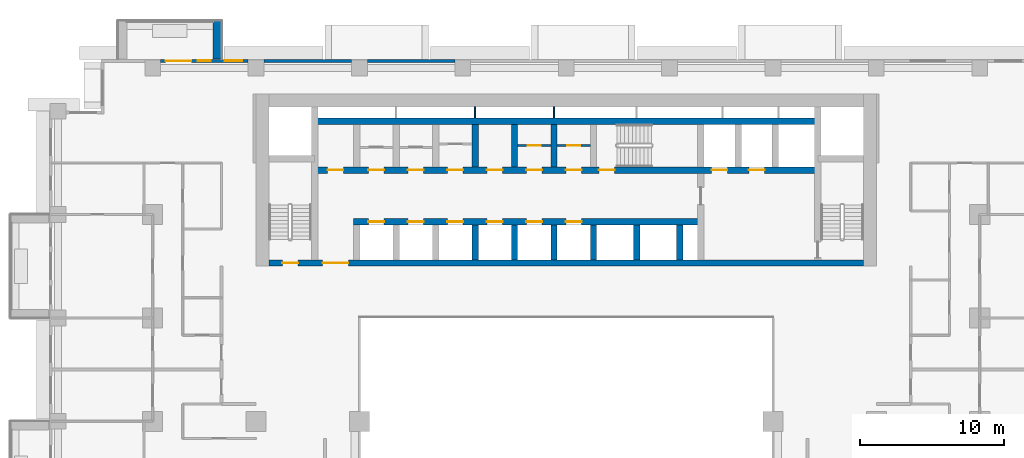
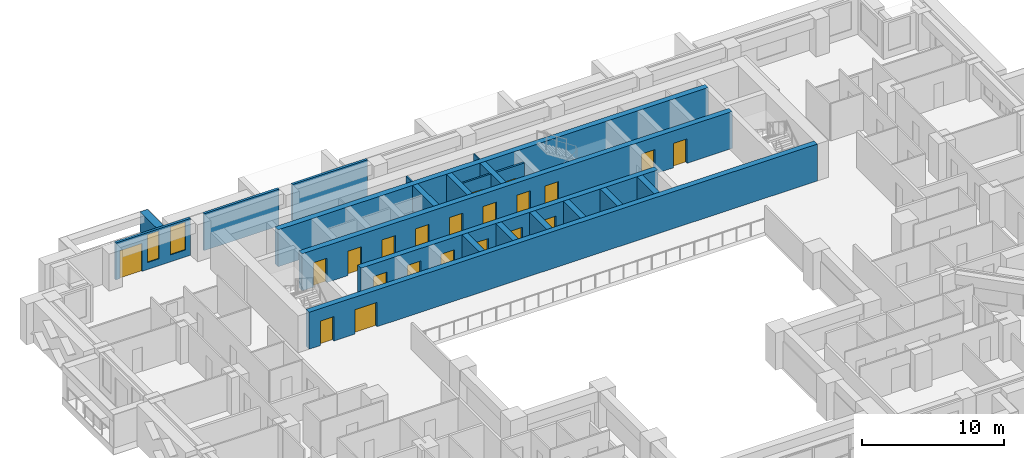
# One storey, part 10 of 17: 21 doors, 21 walls, 2 windows, 23 openings.
"""IFC4 building model written with IfcOpenShell, lengths in metres."""

import ifcopenshell
import ifcopenshell.guid

model = None  # the IFC model being written
_history = None  # IfcOwnerHistory: only IFC2X3 demands one
_inside = {}  # id of a spatial element -> (the spatial element, [elements in it])
_under = {}  # id of a project, library or spatial element -> (it, [spatial elements below it])
_declared = {}  # id of a project -> (the project, [libraries it declares])
_typed = {}  # id of a type object -> (the type object, [elements of that type])
_made_of = {}  # id of a material, layer set ... -> (it, [elements and type objects made of it])


def new_model(schema):
    """Start an empty IFC model of exactly this schema.

    Asked for "IFC4X3", IfcOpenShell would pick the latest addendum, in which some entities
    have other attributes; the version numbers below select the first issue.
    IFC2X3 requires an IfcOwnerHistory on every rooted entity: one is made here for all.
    """
    global model, _history
    if schema == "IFC4X3":
        model = ifcopenshell.file(schema_version=(4, 3, 0, 0))
    else:
        model = ifcopenshell.file(schema=schema)
    _inside.clear()
    _under.clear()
    _declared.clear()
    _typed.clear()
    _made_of.clear()
    _history = None
    if model.schema == "IFC2X3":
        org = make("IfcOrganization", Name="unknown")
        user = make(
            "IfcPersonAndOrganization",
            ThePerson=make("IfcPerson", FamilyName="unknown"),
            TheOrganization=org,
        )
        app = make(
            "IfcApplication",
            ApplicationDeveloper=org,
            Version="unknown",
            ApplicationFullName="unknown",
            ApplicationIdentifier="unknown",
        )
        _history = make(
            "IfcOwnerHistory",
            OwningUser=user,
            OwningApplication=app,
            ChangeAction="ADDED",
            CreationDate=0,
        )
    return model


def make(cls, **values):
    """One entity of the class cls with the attributes given. An attribute that is None is left unset."""
    return model.create_entity(
        cls, **{name: value for name, value in values.items() if value is not None}
    )


def rooted(cls, **values):
    """An entity with a GlobalId (a new one), such as an element, a storey or a relation."""
    return make(cls, GlobalId=ifcopenshell.guid.new(), OwnerHistory=_history, **values)


def si_unit(unit_type, name, prefix=None):
    """IfcSIUnit, for example si_unit("LENGTHUNIT", "METRE", prefix="MILLI")."""
    return make("IfcSIUnit", UnitType=unit_type, Prefix=prefix, Name=name)


def assignment(units):
    """IfcUnitAssignment: the units of a project."""
    return None if units is None else make("IfcUnitAssignment", Units=units)


def point(xyz):
    """IfcCartesianPoint."""
    return None if xyz is None else make("IfcCartesianPoint", Coordinates=xyz)


def direction(xyz):
    """IfcDirection."""
    return None if xyz is None else make("IfcDirection", DirectionRatios=xyz)


def frame(location, z_axis=None, x_axis=None):
    """IfcAxis2Placement3D, a coordinate frame: its origin and axes. An axis left out is left unset."""
    return make(
        "IfcAxis2Placement3D",
        Location=point(location),
        Axis=direction(z_axis),
        RefDirection=direction(x_axis),
    )


def frame_2d(location, x_axis=None):
    """IfcAxis2Placement2D, a coordinate frame in the plane: its origin and x axis."""
    return make(
        "IfcAxis2Placement2D", Location=point(location), RefDirection=direction(x_axis)
    )


def origin():
    """The frame at (0, 0, 0) with its axes left unset."""
    return frame((0.0, 0.0, 0.0))


def place(relative_to, where):
    """IfcLocalPlacement: puts the frame where relative to a parent placement (None: the world)."""
    return make(
        "IfcLocalPlacement", PlacementRelTo=relative_to, RelativePlacement=where
    )


def context(
    kind, dimensions, precision=None, world=None, true_north=None, identifier=None
):
    """IfcGeometricRepresentationContext, for example the 3D "Model" context."""
    return make(
        "IfcGeometricRepresentationContext",
        ContextIdentifier=identifier,
        ContextType=kind,
        CoordinateSpaceDimension=dimensions,
        Precision=precision,
        WorldCoordinateSystem=world,
        TrueNorth=true_north,
    )


def subcontext(parent, identifier, kind, view, scale=None):
    """IfcGeometricRepresentationSubContext, for example "Body" below "Model"."""
    return make(
        "IfcGeometricRepresentationSubContext",
        ContextIdentifier=identifier,
        ContextType=kind,
        ParentContext=parent,
        TargetScale=scale,
        TargetView=view,
    )


def project(units=None, contexts=None):
    """IfcProject with its units and contexts."""
    return rooted(
        "IfcProject",
        Name="project",
        RepresentationContexts=contexts,
        UnitsInContext=assignment(units),
    )


def spatial(cls, under=None, at=None, **own):
    """A site, building, storey or space (cls), placed at a placement, below another one or the project."""
    s = rooted(cls, ObjectPlacement=at, **own)
    if under is not None:
        _under.setdefault(under.id(), (under, []))[1].append(s)
    return s


def profile(cls, at=None, kind="AREA", **sizes):
    """A parametric profile (cls). Its sizes go by their IFC names, for example OverallWidth=200.0."""
    return make(cls, ProfileType=kind, Position=at, **sizes)


def rectangle(**sizes):
    """IfcRectangleProfileDef."""
    return profile("IfcRectangleProfileDef", **sizes)


def extrude(swept, where, along, depth):
    """IfcExtrudedAreaSolid: the profile swept, set in the frame where, extruded along a direction by depth."""
    return make(
        "IfcExtrudedAreaSolid",
        SweptArea=swept,
        Position=where,
        ExtrudedDirection=direction(along),
        Depth=depth,
    )


def shape(context_of_items, identifier, shape_type, items):
    """IfcShapeRepresentation: the items that make up one representation, for example the "Body"."""
    return make(
        "IfcShapeRepresentation",
        ContextOfItems=context_of_items,
        RepresentationIdentifier=identifier,
        RepresentationType=shape_type,
        Items=items,
    )


def material(Name=None, Category=None):
    """IfcMaterial."""
    return make("IfcMaterial", Name=Name, Category=Category)


def layer(
    of_material, thickness, ventilated=None, Name=None, Category=None, Priority=None
):
    """IfcMaterialLayer: one layer of a wall or slab, of a material (None: an air gap)."""
    return make(
        "IfcMaterialLayer",
        Material=of_material,
        LayerThickness=thickness,
        IsVentilated=ventilated,
        Name=Name,
        Category=Category,
        Priority=Priority,
    )


def layer_set(layers, Name=None):
    """IfcMaterialLayerSet."""
    return make("IfcMaterialLayerSet", MaterialLayers=layers, LayerSetName=Name)


def made_of(thing, what):
    """Note that an element or type object is made of a material, layer set ...; save() writes the relation."""
    if what is not None:
        _made_of.setdefault(what.id(), (what, []))[1].append(thing)
    return thing


def type_object(cls, material=None, **own):
    """A type object (cls), such as IfcWallType, which elements share."""
    return made_of(rooted(cls, **own), material)


def element(
    cls,
    number,
    at=None,
    inside=None,
    cuts=None,
    type_object=None,
    material=None,
    context=None,
    identifier="Body",
    shape_type=None,
    held_by="IfcProductDefinitionShape",
    body=None,
    shapes=None,
    **own,
):
    """One element of the class cls, such as IfcWall. Its Tag is "e" and its number.

    at: its placement. inside: the storey or other place that contains it. cuts: it is an
    opening in that element (IfcRelVoidsElement). A single representation is given by context,
    identifier, shape_type and body (its items); several are given by shapes. held_by: the class
    of the entity that holds the representations. save() writes the other relations.
    """
    e = rooted(cls, Tag="e%d" % number, ObjectPlacement=at, **own)
    if body is not None:
        shapes = [shape(context, identifier, shape_type, body)]
    if shapes is not None:
        e.Representation = make(held_by, Representations=shapes)
    if inside is not None:
        _inside.setdefault(inside.id(), (inside, []))[1].append(e)
    if cuts is not None:
        rooted(
            "IfcRelVoidsElement", RelatingBuildingElement=cuts, RelatedOpeningElement=e
        )
    if type_object is not None:
        _typed.setdefault(type_object.id(), (type_object, []))[1].append(e)
    return made_of(e, material)


def fill(opening, filler):
    """IfcRelFillsElement: the door or window that sits in an opening."""
    return rooted(
        "IfcRelFillsElement",
        RelatingOpeningElement=opening,
        RelatedBuildingElement=filler,
    )


def aggregate(whole, parts):
    """IfcRelAggregates: a whole, such as a stair, and the parts it consists of."""
    return rooted("IfcRelAggregates", RelatingObject=whole, RelatedObjects=parts)


def save(model, path):
    """Write the relations noted so far, then the file.

    IfcRelAggregates (storeys below a building ...), IfcRelContainedInSpatialStructure (elements
    in a storey), IfcRelDefinesByType, IfcRelAssociatesMaterial and IfcRelDeclares: one each for
    every whole, place, type object, material and project.
    """
    for whole, parts in _under.values():
        aggregate(whole, parts)
    for where, things in _inside.values():
        rooted(
            "IfcRelContainedInSpatialStructure",
            RelatedElements=things,
            RelatingStructure=where,
        )
    for kind, things in _typed.values():
        rooted("IfcRelDefinesByType", RelatedObjects=things, RelatingType=kind)
    for what, things in _made_of.values():
        rooted("IfcRelAssociatesMaterial", RelatedObjects=things, RelatingMaterial=what)
    for by, libraries in _declared.values():
        rooted("IfcRelDeclares", RelatingContext=by, RelatedDefinitions=libraries)
    model.write(path)


model = new_model("IFC4")

# Units and contexts
model_context = context("Model", 3, precision=1e-05, world=origin(), true_north=direction((0.0, 1.0)))
body_context = subcontext(model_context, "Body", "Model", "MODEL_VIEW")
ifc_project = project(units=[si_unit("LENGTHUNIT", "METRE"), si_unit("AREAUNIT", "SQUARE_METRE"), si_unit("VOLUMEUNIT", "CUBIC_METRE"), si_unit("PLANEANGLEUNIT", "RADIAN"), si_unit("MASSUNIT", "GRAM", prefix="KILO")], contexts=[model_context])

# Site, building, storey
site_placement = place(None, origin())
site = spatial("IfcSite", under=ifc_project, at=site_placement, CompositionType="ELEMENT")
building_placement = place(site_placement, origin())
building = spatial("IfcBuilding", under=site, at=building_placement, Name="Saffron Iwan Residences", CompositionType="ELEMENT")
storey_placement = place(building_placement, frame((0.0, 0.0, 58.5)))
storey = spatial("IfcBuildingStorey", under=building, at=storey_placement, Name="L14", CompositionType="ELEMENT", Elevation=58.5)

# Wall
ifc_material_1 = material(Name="Concrete C50/60 white painted", Category="concrete")
ifc_layer_1 = layer(ifc_material_1, 0.60009765625)
ifc_layer_set_1 = layer_set([ifc_layer_1], Name="Concrete C50/60 white painted")
wall_type_1 = type_object("IfcWallType", Name="BALCONY FIN 600", PredefinedType="SOLIDWALL", material=ifc_layer_set_1)
wall_1_placement = place(storey_placement, frame((26.10009765625, 80.449951171875, 0.0), z_axis=(0.0, 0.0, 1.0), x_axis=(0.0, 1.0, 0.0)))
element("IfcWall", 1, at=wall_1_placement, inside=storey, type_object=wall_type_1, Name="Balcony fin L14 F5-3a", PredefinedType="SOLIDWALL", context=body_context, shape_type="SweptSolid", body=[
    extrude(rectangle(XDim=2.650146484375, YDim=0.60009765625, at=frame_2d((1.3251953125, 0.0))), origin(), (0.0, 0.0, 1.0), 2.85009765625),
])

# Wall, opening, door
ifc_material_2 = material(Name="Fire-rated plasterboard partition")
ifc_layer_2 = layer(ifc_material_2, 0.14990234375)
ifc_layer_set_2 = layer_set([ifc_layer_2], Name="Fire-rated plasterboard partition")
wall_type_2 = type_object("IfcWallType", Name="Core partition 150", PredefinedType="PARTITIONING", material=ifc_layer_set_2)
wall_2_placement = place(storey_placement, frame((47.02490234375, 74.39990234375, 0.0), z_axis=(0.0, 0.0, 1.0), x_axis=(1.0, 0.0, 0.0)))
wall_2 = element("IfcWall", 2, at=wall_2_placement, inside=storey, type_object=wall_type_2, Name="Core partition P04", PredefinedType="PARTITIONING", context=body_context, shape_type="SweptSolid", body=[
    extrude(rectangle(XDim=2.300048828125, YDim=0.14990234375, at=frame_2d((1.14990234375, 0.0))), origin(), (0.0, 0.0, 1.0), 3.179931640625),
])
opening_1_placement = place(wall_2_placement, frame((0.699951171875, 0.0, 0.0)))
opening_1 = element("IfcOpeningElement", 3, at=opening_1_placement, cuts=wall_2, Name="Opening SB", PredefinedType="OPENING", context=body_context, shape_type="SweptSolid", body=[
    extrude(rectangle(XDim=0.89990234375, YDim=2.10009765625, at=frame_2d((0.449951171875, 1.050048828125))), frame((0.0, 0.0849609375, 0.0), z_axis=(0.0, -1.0, 0.0), x_axis=(1.0, 0.0, 0.0)), (0.0, 0.0, 1.0), 0.169921875),
])
ifc_material_3 = material(Name="Steel fire door", Category="steel")
door_type_1 = type_object("IfcDoorType", Name="Store door 900", OperationType="NOTDEFINED", PredefinedType="DOOR", material=ifc_material_3)
door_1_placement = place(opening_1_placement, origin())
door_1 = element("IfcDoor", 4, at=door_1_placement, inside=storey, type_object=door_type_1, Name="Door Spares store", OperationType="SINGLE_SWING_LEFT", OverallHeight=2.10009765625, OverallWidth=0.89990234375, PredefinedType="DOOR", context=body_context, shape_type="SweptSolid", body=[
    extrude(rectangle(XDim=0.89990234375, YDim=2.10009765625, at=frame_2d((0.449951171875, 1.050048828125))), frame((0.0, 0.02490234375, 0.0), z_axis=(0.0, -1.0, 0.0), x_axis=(1.0, 0.0, 0.0)), (0.0, 0.0, 1.0), 0.050048828125),
])
fill(opening_1, door_1)

wall_3_placement = place(storey_placement, frame((49.77490234375, 74.39990234375, 0.0), z_axis=(0.0, 0.0, 1.0), x_axis=(1.0, 0.0, 0.0)))
wall_3 = element("IfcWall", 5, at=wall_3_placement, inside=storey, type_object=wall_type_2, Name="Core partition P05", PredefinedType="PARTITIONING", context=body_context, shape_type="SweptSolid", body=[
    extrude(rectangle(XDim=2.300048828125, YDim=0.14990234375, at=frame_2d((1.14990234375, 0.0))), origin(), (0.0, 0.0, 1.0), 3.179931640625),
])
opening_2_placement = place(wall_3_placement, frame((0.699951171875, 0.0, 0.0)))
opening_2 = element("IfcOpeningElement", 6, at=opening_2_placement, cuts=wall_3, Name="Opening SB", PredefinedType="OPENING", context=body_context, shape_type="SweptSolid", body=[
    extrude(rectangle(XDim=0.89990234375, YDim=2.10009765625, at=frame_2d((0.449951171875, 1.050048828125))), frame((0.0, 0.0849609375, 0.0), z_axis=(0.0, -1.0, 0.0), x_axis=(1.0, 0.0, 0.0)), (0.0, 0.0, 1.0), 0.169921875),
])
door_2_placement = place(opening_2_placement, origin())
door_2 = element("IfcDoor", 7, at=door_2_placement, inside=storey, type_object=door_type_1, Name="Door Battery room", OperationType="SINGLE_SWING_RIGHT", OverallHeight=2.10009765625, OverallWidth=0.89990234375, PredefinedType="DOOR", context=body_context, shape_type="SweptSolid", body=[
    extrude(rectangle(XDim=0.89990234375, YDim=2.10009765625, at=frame_2d((0.449951171875, 1.050048828125))), frame((0.0, 0.02490234375, 0.0), z_axis=(0.0, -1.0, 0.0), x_axis=(1.0, 0.0, 0.0)), (0.0, 0.0, 1.0), 0.050048828125),
])
fill(opening_2, door_2)

# Walls
ifc_material_4 = material(Name="Concrete C40/50", Category="concrete")
ifc_layer_3 = layer(ifc_material_4, 0.199951171875)
ifc_layer_set_3 = layer_set([ifc_layer_3], Name="Concrete C40/50")
wall_type_3 = type_object("IfcWallType", Name="EXTERNAL WALL 200", PredefinedType="SOLIDWALL", material=ifc_layer_set_3)
for number, where, z_axis, x_axis, name in (
    (8, (42.64990234375, 80.300048828125, 0.0), (0.0, 0.0, 1.0), (-1.0, 0.0, 0.0), "External wall L14 F5.6"),
    (9, (35.449951171875, 80.300048828125, 0.0), (0.0, 0.0, 1.0), (-1.0, 0.0, 0.0), "External wall L14 F5.7"),
):
    element("IfcWall", number, at=place(storey_placement, frame(where, z_axis=z_axis, x_axis=x_axis)), inside=storey, type_object=wall_type_3, Name=name, PredefinedType="SOLIDWALL", context=body_context, shape_type="SweptSolid", body=[
        extrude(rectangle(XDim=6.099853515625, YDim=0.199951171875, at=frame_2d((3.0498046875, 0.0))), origin(), (0.0, 0.0, 1.0), 3.179931640625),
    ])

# Wall, openings, door, windows
wall_4_placement = place(storey_placement, frame((28.25, 80.300048828125, 0.0), z_axis=(0.0, 0.0, 1.0), x_axis=(-1.0, 0.0, 0.0)))
wall_4 = element("IfcWall", 10, at=wall_4_placement, inside=storey, type_object=wall_type_3, Name="External wall L14 F5.8", PredefinedType="SOLIDWALL", context=body_context, shape_type="SweptSolid", body=[
    extrude(rectangle(XDim=6.10009765625, YDim=0.199951171875, at=frame_2d((3.050048828125, 0.0))), origin(), (0.0, 0.0, 1.0), 3.179931640625),
])
opening_3_placement = place(wall_4_placement, frame((3.949951171875, 0.0, 0.0)))
opening_3 = element("IfcOpeningElement", 11, at=opening_3_placement, cuts=wall_4, Name="Opening BD1", PredefinedType="OPENING", context=body_context, shape_type="SweptSolid", body=[
    extrude(rectangle(XDim=1.800048828125, YDim=2.39990234375, at=frame_2d((0.89990234375, 1.199951171875))), frame((0.0, 0.10986328125, 0.0), z_axis=(0.0, -1.0, 0.0), x_axis=(1.0, 0.0, 0.0)), (0.0, 0.0, 1.0), 0.219970703125),
])
opening_4_placement = place(wall_4_placement, frame((0.425048828125, 0.0, 0.60009765625)))
opening_4 = element("IfcOpeningElement", 12, at=opening_4_placement, cuts=wall_4, Name="Opening W3", PredefinedType="OPENING", context=body_context, shape_type="SweptSolid", body=[
    extrude(rectangle(XDim=1.199951171875, YDim=2.39990234375, at=frame_2d((0.60009765625, 1.199951171875))), frame((0.0, 0.10986328125, 0.0), z_axis=(0.0, -1.0, 0.0), x_axis=(1.0, 0.0, 0.0)), (0.0, 0.0, 1.0), 0.219970703125),
])
opening_5_placement = place(wall_4_placement, frame((2.60009765625, 0.0, 0.60009765625)))
opening_5 = element("IfcOpeningElement", 13, at=opening_5_placement, cuts=wall_4, Name="Opening W10", PredefinedType="OPENING", context=body_context, shape_type="SweptSolid", body=[
    extrude(rectangle(XDim=0.89990234375, YDim=2.39990234375, at=frame_2d((0.449951171875, 1.199951171875))), frame((0.0, 0.10986328125, 0.0), z_axis=(0.0, -1.0, 0.0), x_axis=(1.0, 0.0, 0.0)), (0.0, 0.0, 1.0), 0.219970703125),
])
ifc_material_5 = material(Name="Clear glass, laminated double glazed", Category="glass")
door_type_2 = type_object("IfcDoorType", Name="BALCONY DOOR 1800 x 2400", OperationType="DOUBLE_DOOR_SLIDING", PredefinedType="DOOR", material=ifc_material_5)
door_3_placement = place(opening_3_placement, origin())
door_3 = element("IfcDoor", 14, at=door_3_placement, inside=storey, type_object=door_type_2, Name="Balcony door L14 F5.0", OperationType="DOUBLE_DOOR_SLIDING", OverallHeight=2.39990234375, OverallWidth=1.800048828125, PredefinedType="DOOR", context=body_context, shape_type="SweptSolid", body=[
    extrude(rectangle(XDim=1.800048828125, YDim=2.39990234375, at=frame_2d((0.89990234375, 1.199951171875))), frame((0.0, 0.02490234375, 0.0), z_axis=(0.0, -1.0, 0.0), x_axis=(1.0, 0.0, 0.0)), (0.0, 0.0, 1.0), 0.050048828125),
])
fill(opening_3, door_3)
window_type_1 = type_object("IfcWindowType", Name="WINDOW 1200 x 2400", PartitioningType="SINGLE_PANEL", PredefinedType="WINDOW", material=ifc_material_5)
window_1_placement = place(opening_4_placement, origin())
window_1 = element("IfcWindow", 15, at=window_1_placement, inside=storey, type_object=window_type_1, Name="Window L14 F5.1", OverallHeight=2.39990234375, OverallWidth=1.199951171875, PartitioningType="SINGLE_PANEL", PredefinedType="WINDOW", context=body_context, shape_type="SweptSolid", body=[
    extrude(rectangle(XDim=1.199951171875, YDim=2.39990234375, at=frame_2d((0.60009765625, 1.199951171875))), frame((0.0, 0.030029296875, 0.0), z_axis=(0.0, -1.0, 0.0), x_axis=(1.0, 0.0, 0.0)), (0.0, 0.0, 1.0), 0.06005859375),
])
fill(opening_4, window_1)
window_type_2 = type_object("IfcWindowType", Name="WINDOW 900 x 2400", PartitioningType="SINGLE_PANEL", PredefinedType="WINDOW", material=ifc_material_5)
window_2_placement = place(opening_5_placement, origin())
window_2 = element("IfcWindow", 16, at=window_2_placement, inside=storey, type_object=window_type_2, Name="Window L14 F5.2", OverallHeight=2.39990234375, OverallWidth=0.89990234375, PartitioningType="SINGLE_PANEL", PredefinedType="WINDOW", context=body_context, shape_type="SweptSolid", body=[
    extrude(rectangle(XDim=0.89990234375, YDim=2.39990234375, at=frame_2d((0.449951171875, 1.199951171875))), frame((0.0, 0.030029296875, 0.0), z_axis=(0.0, -1.0, 0.0), x_axis=(1.0, 0.0, 0.0)), (0.0, 0.0, 1.0), 0.06005859375),
])
fill(opening_5, window_2)

# Walls
ifc_layer_4 = layer(ifc_material_2, 0.10009765625)
ifc_layer_set_4 = layer_set([ifc_layer_4], Name="Fire-rated plasterboard partition")
wall_type_4 = type_object("IfcWallType", Name="Riser partition 100", PredefinedType="PARTITIONING", material=ifc_layer_set_4)
for number, where, z_axis, x_axis, name in (
    (17, (44.050048828125, 76.324951171875, 0.0), (0.0, 0.0, 1.0), (0.0, 1.0, 0.0), "Core partition P07"),
    (18, (49.550048828125, 76.324951171875, 0.0), (0.0, 0.0, 1.0), (0.0, 1.0, 0.0), "Core partition P08"),
):
    element("IfcWall", number, at=place(storey_placement, frame(where, z_axis=z_axis, x_axis=x_axis)), inside=storey, type_object=wall_type_4, Name=name, PredefinedType="PARTITIONING", context=body_context, shape_type="SweptSolid", body=[
        extrude(rectangle(XDim=0.775146484375, YDim=0.10009765625, at=frame_2d((0.3876953125, 0.0))), origin(), (0.0, 0.0, 1.0), 3.179931640625),
    ])

# Wall, openings, doors
ifc_material_6 = material(Name="Concrete C60/75", Category="concrete")
ifc_layer_5 = layer(ifc_material_6, 0.449951171875)
ifc_layer_set_5 = layer_set([ifc_layer_5], Name="Concrete C60/75")
wall_type_5 = type_object("IfcWallType", Name="WALL CORE 450 C60/75 3180 HIGH", PredefinedType="SHEAR", material=ifc_layer_set_5)
wall_5_placement = place(storey_placement, frame((29.699951171875, 66.22509765625, 0.0), z_axis=(0.0, 0.0, 1.0), x_axis=(1.0, 0.0, 0.0)))
wall_5 = element("IfcWall", 19, at=wall_5_placement, inside=storey, type_object=wall_type_5, Name="Core wall", PredefinedType="SHEAR", context=body_context, shape_type="SweptSolid", body=[
    extrude(rectangle(XDim=41.400146484375, YDim=0.449951171875, at=frame_2d((20.7001953125, 0.0))), origin(), (0.0, 0.0, 1.0), 3.179931640625),
])
opening_6_placement = place(wall_5_placement, frame((0.925048828125, 0.0, 0.0)))
opening_6 = element("IfcOpeningElement", 20, at=opening_6_placement, cuts=wall_5, Name="Opening SD", PredefinedType="OPENING", context=body_context, shape_type="SweptSolid", body=[
    extrude(rectangle(XDim=1.10009765625, YDim=2.10009765625, at=frame_2d((0.550048828125, 1.050048828125))), frame((0.0, 0.23486328125, 0.0), z_axis=(0.0, -1.0, 0.0), x_axis=(1.0, 0.0, 0.0)), (0.0, 0.0, 1.0), 0.469970703125),
])
opening_7_placement = place(wall_5_placement, frame((3.737548828125, 0.0, 0.0)))
opening_7 = element("IfcOpeningElement", 21, at=opening_7_placement, cuts=wall_5, Name="Opening DD", PredefinedType="OPENING", context=body_context, shape_type="SweptSolid", body=[
    extrude(rectangle(XDim=1.800048828125, YDim=2.10009765625, at=frame_2d((0.89990234375, 1.050048828125))), frame((0.0, 0.23486328125, 0.0), z_axis=(0.0, -1.0, 0.0), x_axis=(1.0, 0.0, 0.0)), (0.0, 0.0, 1.0), 0.469970703125),
])
door_type_3 = type_object("IfcDoorType", Name="Lobby double door 1800", OperationType="DOUBLE_DOOR_SINGLE_SWING", PredefinedType="DOOR", material=ifc_material_3)
door_4_placement = place(opening_7_placement, origin())
door_4 = element("IfcDoor", 22, at=door_4_placement, inside=storey, type_object=door_type_3, Name="Lobby doors", OperationType="DOUBLE_DOOR_SINGLE_SWING", OverallHeight=2.10009765625, OverallWidth=1.800048828125, PredefinedType="DOOR", context=body_context, shape_type="SweptSolid", body=[
    extrude(rectangle(XDim=1.800048828125, YDim=2.10009765625, at=frame_2d((0.89990234375, 1.050048828125))), frame((0.0, 0.02490234375, 0.0), z_axis=(0.0, -1.0, 0.0), x_axis=(1.0, 0.0, 0.0)), (0.0, 0.0, 1.0), 0.050048828125),
])
fill(opening_7, door_4)
door_type_4 = type_object("IfcDoorType", Name="Stair door 1100", OperationType="NOTDEFINED", PredefinedType="DOOR", material=ifc_material_3)
door_5_placement = place(opening_6_placement, origin())
door_5 = element("IfcDoor", 23, at=door_5_placement, inside=storey, type_object=door_type_4, Name="Stair door ST-W", OperationType="SINGLE_SWING_LEFT", OverallHeight=2.10009765625, OverallWidth=1.10009765625, PredefinedType="DOOR", context=body_context, shape_type="SweptSolid", body=[
    extrude(rectangle(XDim=1.10009765625, YDim=2.10009765625, at=frame_2d((0.550048828125, 1.050048828125))), frame((0.0, 0.02490234375, 0.0), z_axis=(0.0, -1.0, 0.0), x_axis=(1.0, 0.0, 0.0)), (0.0, 0.0, 1.0), 0.050048828125),
])
fill(opening_6, door_5)

wall_6_placement = place(storey_placement, frame((35.574951171875, 69.10009765625, 0.0), z_axis=(0.0, 0.0, 1.0), x_axis=(1.0, 0.0, 0.0)))
wall_6 = element("IfcWall", 24, at=wall_6_placement, inside=storey, type_object=wall_type_5, Name="Core wall", PredefinedType="SHEAR", context=body_context, shape_type="SweptSolid", body=[
    extrude(rectangle(XDim=24.199951171875, YDim=0.449951171875, at=frame_2d((12.10009765625, 0.0))), origin(), (0.0, 0.0, 1.0), 3.179931640625),
])
opening_8_placement = place(wall_6_placement, frame((1.050048828125, 0.0, 0.0)))
opening_8 = element("IfcOpeningElement", 25, at=opening_8_placement, cuts=wall_6, Name="Opening LD", PredefinedType="OPENING", context=body_context, shape_type="SweptSolid", body=[
    extrude(rectangle(XDim=1.10009765625, YDim=2.10009765625, at=frame_2d((0.550048828125, 1.050048828125))), frame((0.0, 0.23486328125, 0.0), z_axis=(0.0, -1.0, 0.0), x_axis=(1.0, 0.0, 0.0)), (0.0, 0.0, 1.0), 0.469970703125),
])
opening_9_placement = place(wall_6_placement, frame((3.800048828125, 0.0, 0.0)))
opening_9 = element("IfcOpeningElement", 26, at=opening_9_placement, cuts=wall_6, Name="Opening LD", PredefinedType="OPENING", context=body_context, shape_type="SweptSolid", body=[
    extrude(rectangle(XDim=1.10009765625, YDim=2.10009765625, at=frame_2d((0.550048828125, 1.050048828125))), frame((0.0, 0.23486328125, 0.0), z_axis=(0.0, -1.0, 0.0), x_axis=(1.0, 0.0, 0.0)), (0.0, 0.0, 1.0), 0.469970703125),
])
opening_10_placement = place(wall_6_placement, frame((6.550048828125, 0.0, 0.0)))
opening_10 = element("IfcOpeningElement", 27, at=opening_10_placement, cuts=wall_6, Name="Opening LD", PredefinedType="OPENING", context=body_context, shape_type="SweptSolid", body=[
    extrude(rectangle(XDim=1.10009765625, YDim=2.10009765625, at=frame_2d((0.550048828125, 1.050048828125))), frame((0.0, 0.23486328125, 0.0), z_axis=(0.0, -1.0, 0.0), x_axis=(1.0, 0.0, 0.0)), (0.0, 0.0, 1.0), 0.469970703125),
])
opening_11_placement = place(wall_6_placement, frame((9.300048828125, 0.0, 0.0)))
opening_11 = element("IfcOpeningElement", 28, at=opening_11_placement, cuts=wall_6, Name="Opening LD", PredefinedType="OPENING", context=body_context, shape_type="SweptSolid", body=[
    extrude(rectangle(XDim=1.10009765625, YDim=2.10009765625, at=frame_2d((0.550048828125, 1.050048828125))), frame((0.0, 0.23486328125, 0.0), z_axis=(0.0, -1.0, 0.0), x_axis=(1.0, 0.0, 0.0)), (0.0, 0.0, 1.0), 0.469970703125),
])
opening_12_placement = place(wall_6_placement, frame((12.050048828125, 0.0, 0.0)))
opening_12 = element("IfcOpeningElement", 29, at=opening_12_placement, cuts=wall_6, Name="Opening LD", PredefinedType="OPENING", context=body_context, shape_type="SweptSolid", body=[
    extrude(rectangle(XDim=1.10009765625, YDim=2.10009765625, at=frame_2d((0.550048828125, 1.050048828125))), frame((0.0, 0.23486328125, 0.0), z_axis=(0.0, -1.0, 0.0), x_axis=(1.0, 0.0, 0.0)), (0.0, 0.0, 1.0), 0.469970703125),
])
opening_13_placement = place(wall_6_placement, frame((14.800048828125, 0.0, 0.0)))
opening_13 = element("IfcOpeningElement", 30, at=opening_13_placement, cuts=wall_6, Name="Opening LD", PredefinedType="OPENING", context=body_context, shape_type="SweptSolid", body=[
    extrude(rectangle(XDim=1.10009765625, YDim=2.10009765625, at=frame_2d((0.550048828125, 1.050048828125))), frame((0.0, 0.23486328125, 0.0), z_axis=(0.0, -1.0, 0.0), x_axis=(1.0, 0.0, 0.0)), (0.0, 0.0, 1.0), 0.469970703125),
])
door_type_5 = type_object("IfcDoorType", Name="Lift landing door 1100", OperationType="SLIDING_TO_LEFT", PredefinedType="DOOR", material=ifc_material_3)
door_6_placement = place(opening_8_placement, origin())
door_6 = element("IfcDoor", 31, at=door_6_placement, inside=storey, type_object=door_type_5, Name="Landing doors LR1", OperationType="SLIDING_TO_LEFT", OverallHeight=2.10009765625, OverallWidth=1.10009765625, PredefinedType="DOOR", context=body_context, shape_type="SweptSolid", body=[
    extrude(rectangle(XDim=1.10009765625, YDim=2.10009765625, at=frame_2d((0.550048828125, 1.050048828125))), frame((0.0, 0.02490234375, 0.0), z_axis=(0.0, -1.0, 0.0), x_axis=(1.0, 0.0, 0.0)), (0.0, 0.0, 1.0), 0.050048828125),
])
fill(opening_8, door_6)
door_7_placement = place(opening_9_placement, origin())
door_7 = element("IfcDoor", 32, at=door_7_placement, inside=storey, type_object=door_type_5, Name="Landing doors LR2", OperationType="SLIDING_TO_LEFT", OverallHeight=2.10009765625, OverallWidth=1.10009765625, PredefinedType="DOOR", context=body_context, shape_type="SweptSolid", body=[
    extrude(rectangle(XDim=1.10009765625, YDim=2.10009765625, at=frame_2d((0.550048828125, 1.050048828125))), frame((0.0, 0.02490234375, 0.0), z_axis=(0.0, -1.0, 0.0), x_axis=(1.0, 0.0, 0.0)), (0.0, 0.0, 1.0), 0.050048828125),
])
fill(opening_9, door_7)
door_8_placement = place(opening_10_placement, origin())
door_8 = element("IfcDoor", 33, at=door_8_placement, inside=storey, type_object=door_type_5, Name="Landing doors LR3", OperationType="SLIDING_TO_LEFT", OverallHeight=2.10009765625, OverallWidth=1.10009765625, PredefinedType="DOOR", context=body_context, shape_type="SweptSolid", body=[
    extrude(rectangle(XDim=1.10009765625, YDim=2.10009765625, at=frame_2d((0.550048828125, 1.050048828125))), frame((0.0, 0.02490234375, 0.0), z_axis=(0.0, -1.0, 0.0), x_axis=(1.0, 0.0, 0.0)), (0.0, 0.0, 1.0), 0.050048828125),
])
fill(opening_10, door_8)
door_9_placement = place(opening_11_placement, origin())
door_9 = element("IfcDoor", 34, at=door_9_placement, inside=storey, type_object=door_type_5, Name="Landing doors LR4", OperationType="SLIDING_TO_LEFT", OverallHeight=2.10009765625, OverallWidth=1.10009765625, PredefinedType="DOOR", context=body_context, shape_type="SweptSolid", body=[
    extrude(rectangle(XDim=1.10009765625, YDim=2.10009765625, at=frame_2d((0.550048828125, 1.050048828125))), frame((0.0, 0.02490234375, 0.0), z_axis=(0.0, -1.0, 0.0), x_axis=(1.0, 0.0, 0.0)), (0.0, 0.0, 1.0), 0.050048828125),
])
fill(opening_11, door_9)
door_10_placement = place(opening_12_placement, origin())
door_10 = element("IfcDoor", 35, at=door_10_placement, inside=storey, type_object=door_type_5, Name="Landing doors LR5", OperationType="SLIDING_TO_LEFT", OverallHeight=2.10009765625, OverallWidth=1.10009765625, PredefinedType="DOOR", context=body_context, shape_type="SweptSolid", body=[
    extrude(rectangle(XDim=1.10009765625, YDim=2.10009765625, at=frame_2d((0.550048828125, 1.050048828125))), frame((0.0, 0.02490234375, 0.0), z_axis=(0.0, -1.0, 0.0), x_axis=(1.0, 0.0, 0.0)), (0.0, 0.0, 1.0), 0.050048828125),
])
fill(opening_12, door_10)
door_11_placement = place(opening_13_placement, origin())
door_11 = element("IfcDoor", 36, at=door_11_placement, inside=storey, type_object=door_type_5, Name="Landing doors LR6", OperationType="SLIDING_TO_LEFT", OverallHeight=2.10009765625, OverallWidth=1.10009765625, PredefinedType="DOOR", context=body_context, shape_type="SweptSolid", body=[
    extrude(rectangle(XDim=1.10009765625, YDim=2.10009765625, at=frame_2d((0.550048828125, 1.050048828125))), frame((0.0, 0.02490234375, 0.0), z_axis=(0.0, -1.0, 0.0), x_axis=(1.0, 0.0, 0.0)), (0.0, 0.0, 1.0), 0.050048828125),
])
fill(opening_13, door_11)

wall_7_placement = place(storey_placement, frame((32.875, 72.699951171875, 0.0), z_axis=(0.0, 0.0, 1.0), x_axis=(1.0, 0.0, 0.0)))
wall_7 = element("IfcWall", 37, at=wall_7_placement, inside=storey, type_object=wall_type_5, Name="Core wall", PredefinedType="SHEAR", context=body_context, shape_type="SweptSolid", body=[
    extrude(rectangle(XDim=35.050048828125, YDim=0.449951171875, at=frame_2d((17.52490234375, 0.0))), origin(), (0.0, 0.0, 1.0), 3.179931640625),
])
opening_14_placement = place(wall_7_placement, frame((19.800048828125, 0.0, 0.0)))
opening_14 = element("IfcOpeningElement", 38, at=opening_14_placement, cuts=wall_7, Name="Opening SD", PredefinedType="OPENING", context=body_context, shape_type="SweptSolid", body=[
    extrude(rectangle(XDim=1.10009765625, YDim=2.10009765625, at=frame_2d((0.550048828125, 1.050048828125))), frame((0.0, 0.23486328125, 0.0), z_axis=(0.0, -1.0, 0.0), x_axis=(1.0, 0.0, 0.0)), (0.0, 0.0, 1.0), 0.469970703125),
])
opening_15_placement = place(wall_7_placement, frame((27.64990234375, 0.0, 0.0)))
opening_15 = element("IfcOpeningElement", 39, at=opening_15_placement, cuts=wall_7, Name="Opening LD", PredefinedType="OPENING", context=body_context, shape_type="SweptSolid", body=[
    extrude(rectangle(XDim=1.10009765625, YDim=2.10009765625, at=frame_2d((0.550048828125, 1.050048828125))), frame((0.0, 0.23486328125, 0.0), z_axis=(0.0, -1.0, 0.0), x_axis=(1.0, 0.0, 0.0)), (0.0, 0.0, 1.0), 0.469970703125),
])
opening_16_placement = place(wall_7_placement, frame((30.25, 0.0, 0.0)))
opening_16 = element("IfcOpeningElement", 40, at=opening_16_placement, cuts=wall_7, Name="Opening LD", PredefinedType="OPENING", context=body_context, shape_type="SweptSolid", body=[
    extrude(rectangle(XDim=1.10009765625, YDim=2.10009765625, at=frame_2d((0.550048828125, 1.050048828125))), frame((0.0, 0.23486328125, 0.0), z_axis=(0.0, -1.0, 0.0), x_axis=(1.0, 0.0, 0.0)), (0.0, 0.0, 1.0), 0.469970703125),
])
opening_17_placement = place(wall_7_placement, frame((3.75, 0.0, 0.0)))
opening_17 = element("IfcOpeningElement", 41, at=opening_17_placement, cuts=wall_7, Name="Opening SR", PredefinedType="OPENING", context=body_context, shape_type="SweptSolid", body=[
    extrude(rectangle(XDim=1.10009765625, YDim=2.10009765625, at=frame_2d((0.550048828125, 1.050048828125))), frame((0.0, 0.23486328125, 0.0), z_axis=(0.0, -1.0, 0.0), x_axis=(1.0, 0.0, 0.0)), (0.0, 0.0, 1.0), 0.469970703125),
])
opening_18_placement = place(wall_7_placement, frame((6.5, 0.0, 0.0)))
opening_18 = element("IfcOpeningElement", 42, at=opening_18_placement, cuts=wall_7, Name="Opening SR", PredefinedType="OPENING", context=body_context, shape_type="SweptSolid", body=[
    extrude(rectangle(XDim=1.10009765625, YDim=2.10009765625, at=frame_2d((0.550048828125, 1.050048828125))), frame((0.0, 0.23486328125, 0.0), z_axis=(0.0, -1.0, 0.0), x_axis=(1.0, 0.0, 0.0)), (0.0, 0.0, 1.0), 0.469970703125),
])
opening_19_placement = place(wall_7_placement, frame((9.25, 0.0, 0.0)))
opening_19 = element("IfcOpeningElement", 43, at=opening_19_placement, cuts=wall_7, Name="Opening SR", PredefinedType="OPENING", context=body_context, shape_type="SweptSolid", body=[
    extrude(rectangle(XDim=1.10009765625, YDim=2.10009765625, at=frame_2d((0.550048828125, 1.050048828125))), frame((0.0, 0.23486328125, 0.0), z_axis=(0.0, -1.0, 0.0), x_axis=(1.0, 0.0, 0.0)), (0.0, 0.0, 1.0), 0.469970703125),
])
opening_20_placement = place(wall_7_placement, frame((12.0, 0.0, 0.0)))
opening_20 = element("IfcOpeningElement", 44, at=opening_20_placement, cuts=wall_7, Name="Opening SR", PredefinedType="OPENING", context=body_context, shape_type="SweptSolid", body=[
    extrude(rectangle(XDim=1.10009765625, YDim=2.10009765625, at=frame_2d((0.550048828125, 1.050048828125))), frame((0.0, 0.23486328125, 0.0), z_axis=(0.0, -1.0, 0.0), x_axis=(1.0, 0.0, 0.0)), (0.0, 0.0, 1.0), 0.469970703125),
])
opening_21_placement = place(wall_7_placement, frame((14.75, 0.0, 0.0)))
opening_21 = element("IfcOpeningElement", 45, at=opening_21_placement, cuts=wall_7, Name="Opening SR", PredefinedType="OPENING", context=body_context, shape_type="SweptSolid", body=[
    extrude(rectangle(XDim=1.10009765625, YDim=2.10009765625, at=frame_2d((0.550048828125, 1.050048828125))), frame((0.0, 0.23486328125, 0.0), z_axis=(0.0, -1.0, 0.0), x_axis=(1.0, 0.0, 0.0)), (0.0, 0.0, 1.0), 0.469970703125),
])
opening_22_placement = place(wall_7_placement, frame((17.5, 0.0, 0.0)))
opening_22 = element("IfcOpeningElement", 46, at=opening_22_placement, cuts=wall_7, Name="Opening SR", PredefinedType="OPENING", context=body_context, shape_type="SweptSolid", body=[
    extrude(rectangle(XDim=1.10009765625, YDim=2.10009765625, at=frame_2d((0.550048828125, 1.050048828125))), frame((0.0, 0.23486328125, 0.0), z_axis=(0.0, -1.0, 0.0), x_axis=(1.0, 0.0, 0.0)), (0.0, 0.0, 1.0), 0.469970703125),
])
opening_23_placement = place(wall_7_placement, frame((0.91259765625, 0.0, 0.0)))
opening_23 = element("IfcOpeningElement", 47, at=opening_23_placement, cuts=wall_7, Name="Opening SR", PredefinedType="OPENING", context=body_context, shape_type="SweptSolid", body=[
    extrude(rectangle(XDim=1.10009765625, YDim=2.10009765625, at=frame_2d((0.550048828125, 1.050048828125))), frame((0.0, 0.23486328125, 0.0), z_axis=(0.0, -1.0, 0.0), x_axis=(1.0, 0.0, 0.0)), (0.0, 0.0, 1.0), 0.469970703125),
])
door_12_placement = place(opening_15_placement, origin())
door_12 = element("IfcDoor", 48, at=door_12_placement, inside=storey, type_object=door_type_5, Name="Landing doors FF1", OperationType="SLIDING_TO_LEFT", OverallHeight=2.10009765625, OverallWidth=1.10009765625, PredefinedType="DOOR", context=body_context, shape_type="SweptSolid", body=[
    extrude(rectangle(XDim=1.10009765625, YDim=2.10009765625, at=frame_2d((0.550048828125, 1.050048828125))), frame((0.0, 0.02490234375, 0.0), z_axis=(0.0, -1.0, 0.0), x_axis=(1.0, 0.0, 0.0)), (0.0, 0.0, 1.0), 0.050048828125),
])
fill(opening_15, door_12)
door_13_placement = place(opening_16_placement, origin())
door_13 = element("IfcDoor", 49, at=door_13_placement, inside=storey, type_object=door_type_5, Name="Landing doors FF2", OperationType="SLIDING_TO_LEFT", OverallHeight=2.10009765625, OverallWidth=1.10009765625, PredefinedType="DOOR", context=body_context, shape_type="SweptSolid", body=[
    extrude(rectangle(XDim=1.10009765625, YDim=2.10009765625, at=frame_2d((0.550048828125, 1.050048828125))), frame((0.0, 0.02490234375, 0.0), z_axis=(0.0, -1.0, 0.0), x_axis=(1.0, 0.0, 0.0)), (0.0, 0.0, 1.0), 0.050048828125),
])
fill(opening_16, door_13)
door_type_6 = type_object("IfcDoorType", Name="Service door 1100", OperationType="NOTDEFINED", PredefinedType="DOOR", material=ifc_material_3)
door_14_placement = place(opening_17_placement, origin())
door_14 = element("IfcDoor", 50, at=door_14_placement, inside=storey, type_object=door_type_6, Name="Door Maintenance store", OperationType="SINGLE_SWING_LEFT", OverallHeight=2.10009765625, OverallWidth=1.10009765625, PredefinedType="DOOR", context=body_context, shape_type="SweptSolid", body=[
    extrude(rectangle(XDim=1.10009765625, YDim=2.10009765625, at=frame_2d((0.550048828125, 1.050048828125))), frame((0.0, 0.02490234375, 0.0), z_axis=(0.0, -1.0, 0.0), x_axis=(1.0, 0.0, 0.0)), (0.0, 0.0, 1.0), 0.050048828125),
])
fill(opening_17, door_14)
door_15_placement = place(opening_18_placement, origin())
door_15 = element("IfcDoor", 51, at=door_15_placement, inside=storey, type_object=door_type_6, Name="Door Linen store", OperationType="SINGLE_SWING_LEFT", OverallHeight=2.10009765625, OverallWidth=1.10009765625, PredefinedType="DOOR", context=body_context, shape_type="SweptSolid", body=[
    extrude(rectangle(XDim=1.10009765625, YDim=2.10009765625, at=frame_2d((0.550048828125, 1.050048828125))), frame((0.0, 0.02490234375, 0.0), z_axis=(0.0, -1.0, 0.0), x_axis=(1.0, 0.0, 0.0)), (0.0, 0.0, 1.0), 0.050048828125),
])
fill(opening_18, door_15)
door_16_placement = place(opening_19_placement, origin())
door_16 = element("IfcDoor", 52, at=door_16_placement, inside=storey, type_object=door_type_6, Name="Door Pantry", OperationType="SINGLE_SWING_LEFT", OverallHeight=2.10009765625, OverallWidth=1.10009765625, PredefinedType="DOOR", context=body_context, shape_type="SweptSolid", body=[
    extrude(rectangle(XDim=1.10009765625, YDim=2.10009765625, at=frame_2d((0.550048828125, 1.050048828125))), frame((0.0, 0.02490234375, 0.0), z_axis=(0.0, -1.0, 0.0), x_axis=(1.0, 0.0, 0.0)), (0.0, 0.0, 1.0), 0.050048828125),
])
fill(opening_19, door_16)
door_17_placement = place(opening_20_placement, origin())
door_17 = element("IfcDoor", 53, at=door_17_placement, inside=storey, type_object=door_type_6, Name="Door Electrical room", OperationType="SINGLE_SWING_LEFT", OverallHeight=2.10009765625, OverallWidth=1.10009765625, PredefinedType="DOOR", context=body_context, shape_type="SweptSolid", body=[
    extrude(rectangle(XDim=1.10009765625, YDim=2.10009765625, at=frame_2d((0.550048828125, 1.050048828125))), frame((0.0, 0.02490234375, 0.0), z_axis=(0.0, -1.0, 0.0), x_axis=(1.0, 0.0, 0.0)), (0.0, 0.0, 1.0), 0.050048828125),
])
fill(opening_20, door_17)
door_18_placement = place(opening_21_placement, origin())
door_18 = element("IfcDoor", 54, at=door_18_placement, inside=storey, type_object=door_type_6, Name="Door Luggage store", OperationType="SINGLE_SWING_LEFT", OverallHeight=2.10009765625, OverallWidth=1.10009765625, PredefinedType="DOOR", context=body_context, shape_type="SweptSolid", body=[
    extrude(rectangle(XDim=1.10009765625, YDim=2.10009765625, at=frame_2d((0.550048828125, 1.050048828125))), frame((0.0, 0.02490234375, 0.0), z_axis=(0.0, -1.0, 0.0), x_axis=(1.0, 0.0, 0.0)), (0.0, 0.0, 1.0), 0.050048828125),
])
fill(opening_21, door_18)
door_19_placement = place(opening_22_placement, origin())
door_19 = element("IfcDoor", 55, at=door_19_placement, inside=storey, type_object=door_type_6, Name="Door Refuse store", OperationType="SINGLE_SWING_LEFT", OverallHeight=2.10009765625, OverallWidth=1.10009765625, PredefinedType="DOOR", context=body_context, shape_type="SweptSolid", body=[
    extrude(rectangle(XDim=1.10009765625, YDim=2.10009765625, at=frame_2d((0.550048828125, 1.050048828125))), frame((0.0, 0.02490234375, 0.0), z_axis=(0.0, -1.0, 0.0), x_axis=(1.0, 0.0, 0.0)), (0.0, 0.0, 1.0), 0.050048828125),
])
fill(opening_22, door_19)
door_20_placement = place(opening_23_placement, origin())
door_20 = element("IfcDoor", 56, at=door_20_placement, inside=storey, type_object=door_type_6, Name="Door Caretaker's room", OperationType="SINGLE_SWING_LEFT", OverallHeight=2.10009765625, OverallWidth=1.10009765625, PredefinedType="DOOR", context=body_context, shape_type="SweptSolid", body=[
    extrude(rectangle(XDim=1.10009765625, YDim=2.10009765625, at=frame_2d((0.550048828125, 1.050048828125))), frame((0.0, 0.02490234375, 0.0), z_axis=(0.0, -1.0, 0.0), x_axis=(1.0, 0.0, 0.0)), (0.0, 0.0, 1.0), 0.050048828125),
])
fill(opening_23, door_20)
door_21_placement = place(opening_14_placement, origin())
door_21 = element("IfcDoor", 57, at=door_21_placement, inside=storey, type_object=door_type_4, Name="Stair door ST-C", OperationType="SINGLE_SWING_LEFT", OverallHeight=2.10009765625, OverallWidth=1.10009765625, PredefinedType="DOOR", context=body_context, shape_type="SweptSolid", body=[
    extrude(rectangle(XDim=1.10009765625, YDim=2.10009765625, at=frame_2d((0.550048828125, 1.050048828125))), frame((0.0, 0.02490234375, 0.0), z_axis=(0.0, -1.0, 0.0), x_axis=(1.0, 0.0, 0.0)), (0.0, 0.0, 1.0), 0.050048828125),
])
fill(opening_14, door_21)

# Walls
wall_8_placement = place(storey_placement, frame((32.875, 76.10009765625, 0.0), z_axis=(0.0, 0.0, 1.0), x_axis=(1.0, 0.0, 0.0)))
element("IfcWall", 58, at=wall_8_placement, inside=storey, type_object=wall_type_5, Name="Core wall", PredefinedType="SHEAR", context=body_context, shape_type="SweptSolid", body=[
    extrude(rectangle(XDim=35.050048828125, YDim=0.449951171875, at=frame_2d((17.52490234375, 0.0))), origin(), (0.0, 0.0, 1.0), 3.179931640625),
])
for number, where, z_axis, x_axis, name in (
    (59, (44.050048828125, 66.449951171875, 0.0), (0.0, 0.0, 1.0), (0.0, 1.0, 0.0), "Core wall"),
    (60, (46.800048828125, 66.449951171875, 0.0), (0.0, 0.0, 1.0), (0.0, 1.0, 0.0), "Core wall"),
    (61, (49.550048828125, 66.449951171875, 0.0), (0.0, 0.0, 1.0), (0.0, 1.0, 0.0), "Core wall"),
    (62, (52.300048828125, 66.449951171875, 0.0), (0.0, 0.0, 1.0), (0.0, 1.0, 0.0), "Core wall"),
    (63, (55.300048828125, 66.449951171875, 0.0), (0.0, 0.0, 1.0), (0.0, 1.0, 0.0), "Core wall"),
    (64, (58.300048828125, 66.449951171875, 0.0), (0.0, 0.0, 1.0), (0.0, 1.0, 0.0), "Core wall"),
):
    element("IfcWall", number, at=place(storey_placement, frame(where, z_axis=z_axis, x_axis=x_axis)), inside=storey, type_object=wall_type_5, Name=name, PredefinedType="SHEAR", context=body_context, shape_type="SweptSolid", body=[
        extrude(rectangle(XDim=2.425048828125, YDim=0.449951171875, at=frame_2d((1.21240234375, 0.0))), origin(), (0.0, 0.0, 1.0), 3.179931640625),
    ])
for number, where, z_axis, x_axis, name in (
    (65, (44.050048828125, 72.925048828125, 0.0), (0.0, 0.0, 1.0), (0.0, 1.0, 0.0), "Core wall"),
    (66, (46.800048828125, 72.925048828125, 0.0), (0.0, 0.0, 1.0), (0.0, 1.0, 0.0), "Core wall"),
    (67, (49.550048828125, 72.925048828125, 0.0), (0.0, 0.0, 1.0), (0.0, 1.0, 0.0), "Core wall"),
):
    element("IfcWall", number, at=place(storey_placement, frame(where, z_axis=z_axis, x_axis=x_axis)), inside=storey, type_object=wall_type_5, Name=name, PredefinedType="SHEAR", context=body_context, shape_type="SweptSolid", body=[
        extrude(rectangle(XDim=2.949951171875, YDim=0.449951171875, at=frame_2d((1.47509765625, 0.0))), origin(), (0.0, 0.0, 1.0), 3.179931640625),
    ])

save(model, "model.ifc")
